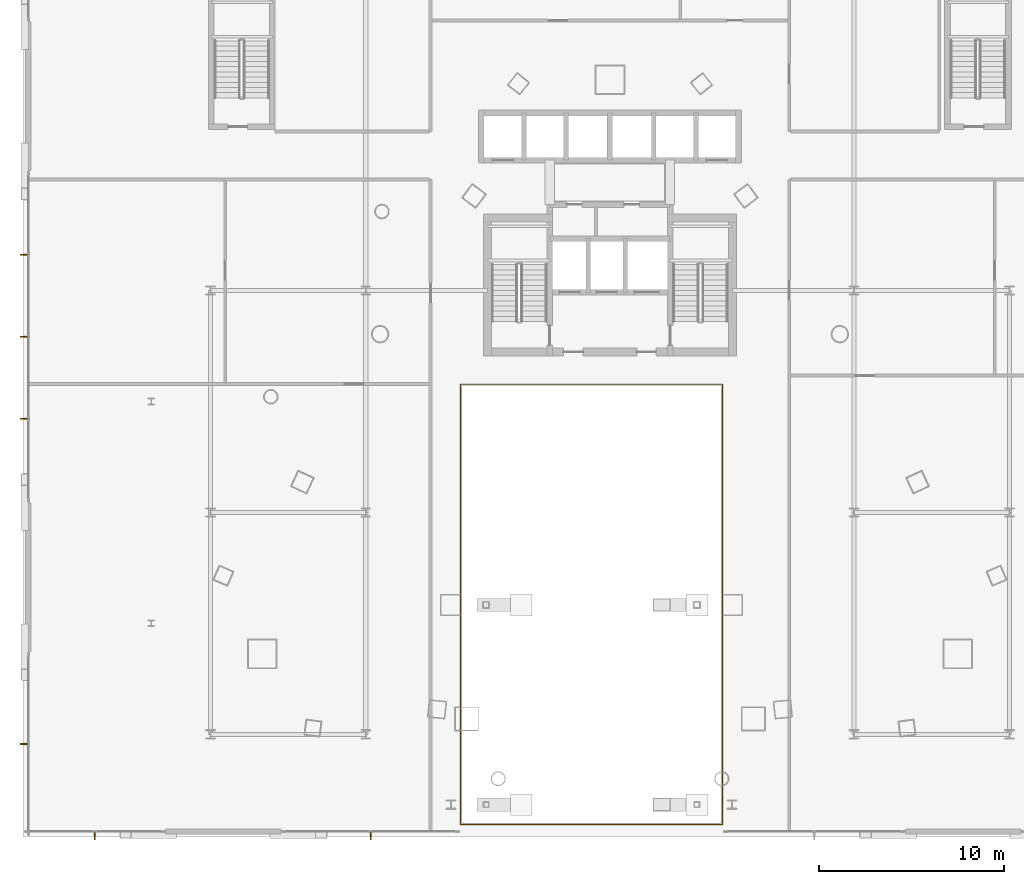
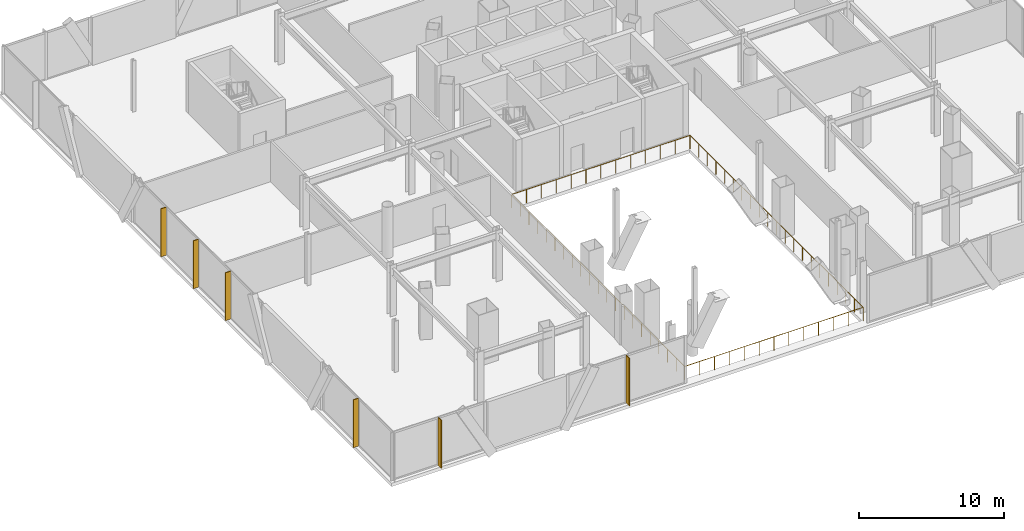
# One storey, part 36 of 42: 6 shading devices, 1 railing.
"""IFC4 building model written with IfcOpenShell, lengths in metres."""

from ifc_helpers import new_model, si_unit, direction, frame, origin, origin_2d, place, context, subcontext, project, spatial, rectangle, circle, extrude, material, layer, layer_set, type_object, element, save


model = new_model("IFC4")

# Units and contexts
model_context = context("Model", 3, precision=1e-05, world=origin(), true_north=direction((0.0, 1.0)))
body_context = subcontext(model_context, "Body", "Model", "MODEL_VIEW")
ifc_project = project(units=[si_unit("LENGTHUNIT", "METRE"), si_unit("AREAUNIT", "SQUARE_METRE"), si_unit("VOLUMEUNIT", "CUBIC_METRE"), si_unit("PLANEANGLEUNIT", "RADIAN"), si_unit("MASSUNIT", "GRAM", prefix="KILO")], contexts=[model_context])

# Site, building, storey
site_placement = place(None, origin())
site = spatial("IfcSite", under=ifc_project, at=site_placement, CompositionType="ELEMENT")
building_placement = place(site_placement, origin())
building = spatial("IfcBuilding", under=site, at=building_placement, Name="Orvanel Arch Residences", CompositionType="ELEMENT")
storey_placement = place(building_placement, frame((0.0, 0.0, 5.5)))
storey = spatial("IfcBuildingStorey", under=building, at=storey_placement, Name="L01", CompositionType="ELEMENT", Elevation=5.5)

# Shading devices
ifc_material = material(Name="Bronze-anodised aluminium AA6063-T6", Category="aluminium")
ifc_layer = layer(ifc_material, 0.06494140625)
ifc_layer_set = layer_set([ifc_layer], Name="Bronze-anodised aluminium AA6063-T6")
shading_device_type = type_object("IfcShadingDeviceType", Name="FIN-BRZ-420", PredefinedType="USERDEFINED", material=ifc_layer_set)
for number, where, z_axis, x_axis, name in (
    (1, (5.135009765625, 0.510009765625, 0.0), (0.0, 0.0, 1.0), (0.0, -1.0, 0.0), "L01 Anodised Bronze Mullion FIN 01"),
    (2, (20.06005859375, 0.510009765625, 0.0), (0.0, 0.0, 1.0), (0.0, -1.0, 0.0), "L01 Anodised Bronze Mullion FIN 01"),
    (3, (1.31005859375, 5.485107421875, 0.0), (0.0, 0.0, 1.0), (-1.0, 0.0, 0.0), "L01 Anodised Bronze Mullion FIN 01"),
    (4, (1.31005859375, 31.929931640625, 0.0), (0.0, 0.0, 1.0), (-1.0, 0.0, 0.0), "L01 Anodised Bronze Mullion FIN 01"),
    (5, (1.31005859375, 27.5, 0.0), (0.0, 0.0, 1.0), (-1.0, 0.0, 0.0), "L01 Anodised Bronze Mullion FIN 02"),
    (6, (1.31005859375, 23.070068359375, 0.0), (0.0, 0.0, 1.0), (-1.0, 0.0, 0.0), "L01 Anodised Bronze Mullion FIN 03"),
):
    element("IfcShadingDevice", number, at=place(storey_placement, frame(where, z_axis=z_axis, x_axis=x_axis)), inside=storey, type_object=shading_device_type, Name=name, ObjectType="FIN", PredefinedType="USERDEFINED", context=body_context, shape_type="SweptSolid", body=[
        extrude(rectangle(XDim=0.419921875, YDim=0.06494140625, at=origin_2d()), origin(), (0.0, 0.0, 1.0), 4.02001953125),
    ])

# Railing
railing_type = type_object("IfcRailingType", Name="RL-ATR-1150", PredefinedType="BALUSTRADE", material=ifc_material)
railing_placement = place(storey_placement, frame((24.919921875, 1.1201171875, 0.0)))
element("IfcRailing", 7, at=railing_placement, inside=storey, type_object=railing_type, Name="L01 Public Arch Void Balustrade", PredefinedType="BALUSTRADE", context=body_context, shape_type="SweptSolid", body=[
    extrude(circle(Radius=0.02392578125, at=origin_2d()), frame((0.00146484375, 0.0, 1.1259765625), z_axis=(1.0, 0.0, 0.0), x_axis=(0.0, 1.0, 0.0)), (0.0, 0.0, 1.0), 14.1572265625),
    extrude(circle(Radius=0.02392578125, at=origin_2d()), frame((14.16015625, 0.00146484375, 1.1259765625), z_axis=(0.0, 1.0, 0.0), x_axis=(-1.0, 0.0, 0.0)), (0.0, 0.0, 1.0), 23.806884765625),
    extrude(circle(Radius=0.02392578125, at=origin_2d()), frame((14.15869140625, 23.809814453125, 1.1259765625), z_axis=(-1.0, 0.0, 0.0), x_axis=(0.0, -1.0, 0.0)), (0.0, 0.0, 1.0), 14.1572265625),
    extrude(circle(Radius=0.02392578125, at=origin_2d()), frame((0.0, 23.808349609375, 1.1259765625), z_axis=(0.0, -1.0, 0.0), x_axis=(1.0, 0.0, 0.0)), (0.0, 0.0, 1.0), 23.806884765625),
    extrude(circle(Radius=0.02099609375, at=origin_2d()), origin(), (0.0, 0.0, 1.0), 1.099853515625),
    extrude(circle(Radius=0.02099609375, at=origin_2d()), frame((1.179931640625, 0.0, 0.0)), (0.0, 0.0, 1.0), 1.099853515625),
    extrude(circle(Radius=0.02099609375, at=origin_2d()), frame((2.360107421875, 0.0, 0.0)), (0.0, 0.0, 1.0), 1.099853515625),
    extrude(circle(Radius=0.02099609375, at=origin_2d()), frame((3.5400390625, 0.0, 0.0)), (0.0, 0.0, 1.0), 1.099853515625),
    extrude(circle(Radius=0.02099609375, at=origin_2d()), frame((4.719970703125, 0.0, 0.0)), (0.0, 0.0, 1.0), 1.099853515625),
    extrude(circle(Radius=0.02099609375, at=origin_2d()), frame((5.900146484375, 0.0, 0.0)), (0.0, 0.0, 1.0), 1.099853515625),
    extrude(circle(Radius=0.02099609375, at=origin_2d()), frame((7.080078125, 0.0, 0.0)), (0.0, 0.0, 1.0), 1.099853515625),
    extrude(circle(Radius=0.02099609375, at=origin_2d()), frame((8.260009765625, 0.0, 0.0)), (0.0, 0.0, 1.0), 1.099853515625),
    extrude(circle(Radius=0.02099609375, at=origin_2d()), frame((9.440185546875, 0.0, 0.0)), (0.0, 0.0, 1.0), 1.099853515625),
    extrude(circle(Radius=0.02099609375, at=origin_2d()), frame((10.6201171875, 0.0, 0.0)), (0.0, 0.0, 1.0), 1.099853515625),
    extrude(circle(Radius=0.02099609375, at=origin_2d()), frame((11.800048828125, 0.0, 0.0)), (0.0, 0.0, 1.0), 1.099853515625),
    extrude(circle(Radius=0.02099609375, at=origin_2d()), frame((12.980224609375, 0.0, 0.0)), (0.0, 0.0, 1.0), 1.099853515625),
    extrude(circle(Radius=0.02099609375, at=origin_2d()), frame((14.16015625, 0.0, 0.0)), (0.0, 0.0, 1.0), 1.099853515625),
    extrude(circle(Radius=0.02099609375, at=origin_2d()), frame((14.16015625, 1.1904296875, 0.0)), (0.0, 0.0, 1.0), 1.099853515625),
    extrude(circle(Radius=0.02099609375, at=origin_2d()), frame((14.16015625, 2.380859375, 0.0)), (0.0, 0.0, 1.0), 1.099853515625),
    extrude(circle(Radius=0.02099609375, at=origin_2d()), frame((14.16015625, 3.571533203125, 0.0)), (0.0, 0.0, 1.0), 1.099853515625),
    extrude(circle(Radius=0.02099609375, at=origin_2d()), frame((14.16015625, 4.761962890625, 0.0)), (0.0, 0.0, 1.0), 1.099853515625),
    extrude(circle(Radius=0.02099609375, at=origin_2d()), frame((14.16015625, 5.952392578125, 0.0)), (0.0, 0.0, 1.0), 1.099853515625),
    extrude(circle(Radius=0.02099609375, at=origin_2d()), frame((14.16015625, 7.14306640625, 0.0)), (0.0, 0.0, 1.0), 1.099853515625),
    extrude(circle(Radius=0.02099609375, at=origin_2d()), frame((14.16015625, 8.33349609375, 0.0)), (0.0, 0.0, 1.0), 1.099853515625),
    extrude(circle(Radius=0.02099609375, at=origin_2d()), frame((14.16015625, 9.52392578125, 0.0)), (0.0, 0.0, 1.0), 1.099853515625),
    extrude(circle(Radius=0.02099609375, at=origin_2d()), frame((14.16015625, 10.71435546875, 0.0)), (0.0, 0.0, 1.0), 1.099853515625),
    extrude(circle(Radius=0.02099609375, at=origin_2d()), frame((14.16015625, 11.90478515625, 0.0)), (0.0, 0.0, 1.0), 1.099853515625),
    extrude(circle(Radius=0.02099609375, at=origin_2d()), frame((14.16015625, 13.095458984375, 0.0)), (0.0, 0.0, 1.0), 1.099853515625),
    extrude(circle(Radius=0.02099609375, at=origin_2d()), frame((14.16015625, 14.285888671875, 0.0)), (0.0, 0.0, 1.0), 1.099853515625),
    extrude(circle(Radius=0.02099609375, at=origin_2d()), frame((14.16015625, 15.476318359375, 0.0)), (0.0, 0.0, 1.0), 1.099853515625),
    extrude(circle(Radius=0.02099609375, at=origin_2d()), frame((14.16015625, 16.6669921875, 0.0)), (0.0, 0.0, 1.0), 1.099853515625),
    extrude(circle(Radius=0.02099609375, at=origin_2d()), frame((14.16015625, 17.857421875, 0.0)), (0.0, 0.0, 1.0), 1.099853515625),
    extrude(circle(Radius=0.02099609375, at=origin_2d()), frame((14.16015625, 19.0478515625, 0.0)), (0.0, 0.0, 1.0), 1.099853515625),
    extrude(circle(Radius=0.02099609375, at=origin_2d()), frame((14.16015625, 20.23828125, 0.0)), (0.0, 0.0, 1.0), 1.099853515625),
    extrude(circle(Radius=0.02099609375, at=origin_2d()), frame((14.16015625, 21.4287109375, 0.0)), (0.0, 0.0, 1.0), 1.099853515625),
    extrude(circle(Radius=0.02099609375, at=origin_2d()), frame((14.16015625, 22.619384765625, 0.0)), (0.0, 0.0, 1.0), 1.099853515625),
    extrude(circle(Radius=0.02099609375, at=origin_2d()), frame((14.16015625, 23.809814453125, 0.0)), (0.0, 0.0, 1.0), 1.099853515625),
    extrude(circle(Radius=0.02099609375, at=origin_2d()), frame((12.980224609375, 23.809814453125, 0.0)), (0.0, 0.0, 1.0), 1.099853515625),
    extrude(circle(Radius=0.02099609375, at=origin_2d()), frame((11.800048828125, 23.809814453125, 0.0)), (0.0, 0.0, 1.0), 1.099853515625),
    extrude(circle(Radius=0.02099609375, at=origin_2d()), frame((10.6201171875, 23.809814453125, 0.0)), (0.0, 0.0, 1.0), 1.099853515625),
    extrude(circle(Radius=0.02099609375, at=origin_2d()), frame((9.440185546875, 23.809814453125, 0.0)), (0.0, 0.0, 1.0), 1.099853515625),
    extrude(circle(Radius=0.02099609375, at=origin_2d()), frame((8.260009765625, 23.809814453125, 0.0)), (0.0, 0.0, 1.0), 1.099853515625),
    extrude(circle(Radius=0.02099609375, at=origin_2d()), frame((7.080078125, 23.809814453125, 0.0)), (0.0, 0.0, 1.0), 1.099853515625),
    extrude(circle(Radius=0.02099609375, at=origin_2d()), frame((5.900146484375, 23.809814453125, 0.0)), (0.0, 0.0, 1.0), 1.099853515625),
    extrude(circle(Radius=0.02099609375, at=origin_2d()), frame((4.719970703125, 23.809814453125, 0.0)), (0.0, 0.0, 1.0), 1.099853515625),
    extrude(circle(Radius=0.02099609375, at=origin_2d()), frame((3.5400390625, 23.809814453125, 0.0)), (0.0, 0.0, 1.0), 1.099853515625),
    extrude(circle(Radius=0.02099609375, at=origin_2d()), frame((2.360107421875, 23.809814453125, 0.0)), (0.0, 0.0, 1.0), 1.099853515625),
    extrude(circle(Radius=0.02099609375, at=origin_2d()), frame((1.179931640625, 23.809814453125, 0.0)), (0.0, 0.0, 1.0), 1.099853515625),
    extrude(circle(Radius=0.02099609375, at=origin_2d()), frame((0.0, 23.809814453125, 0.0)), (0.0, 0.0, 1.0), 1.099853515625),
    extrude(circle(Radius=0.02099609375, at=origin_2d()), frame((0.0, 22.619384765625, 0.0)), (0.0, 0.0, 1.0), 1.099853515625),
    extrude(circle(Radius=0.02099609375, at=origin_2d()), frame((0.0, 21.4287109375, 0.0)), (0.0, 0.0, 1.0), 1.099853515625),
    extrude(circle(Radius=0.02099609375, at=origin_2d()), frame((0.0, 20.23828125, 0.0)), (0.0, 0.0, 1.0), 1.099853515625),
    extrude(circle(Radius=0.02099609375, at=origin_2d()), frame((0.0, 19.0478515625, 0.0)), (0.0, 0.0, 1.0), 1.099853515625),
    extrude(circle(Radius=0.02099609375, at=origin_2d()), frame((0.0, 17.857421875, 0.0)), (0.0, 0.0, 1.0), 1.099853515625),
    extrude(circle(Radius=0.02099609375, at=origin_2d()), frame((0.0, 16.6669921875, 0.0)), (0.0, 0.0, 1.0), 1.099853515625),
    extrude(circle(Radius=0.02099609375, at=origin_2d()), frame((0.0, 15.476318359375, 0.0)), (0.0, 0.0, 1.0), 1.099853515625),
    extrude(circle(Radius=0.02099609375, at=origin_2d()), frame((0.0, 14.285888671875, 0.0)), (0.0, 0.0, 1.0), 1.099853515625),
    extrude(circle(Radius=0.02099609375, at=origin_2d()), frame((0.0, 13.095458984375, 0.0)), (0.0, 0.0, 1.0), 1.099853515625),
    extrude(circle(Radius=0.02099609375, at=origin_2d()), frame((0.0, 11.90478515625, 0.0)), (0.0, 0.0, 1.0), 1.099853515625),
    extrude(circle(Radius=0.02099609375, at=origin_2d()), frame((0.0, 10.71435546875, 0.0)), (0.0, 0.0, 1.0), 1.099853515625),
    extrude(circle(Radius=0.02099609375, at=origin_2d()), frame((0.0, 9.52392578125, 0.0)), (0.0, 0.0, 1.0), 1.099853515625),
    extrude(circle(Radius=0.02099609375, at=origin_2d()), frame((0.0, 8.33349609375, 0.0)), (0.0, 0.0, 1.0), 1.099853515625),
    extrude(circle(Radius=0.02099609375, at=origin_2d()), frame((0.0, 7.14306640625, 0.0)), (0.0, 0.0, 1.0), 1.099853515625),
    extrude(circle(Radius=0.02099609375, at=origin_2d()), frame((0.0, 5.952392578125, 0.0)), (0.0, 0.0, 1.0), 1.099853515625),
    extrude(circle(Radius=0.02099609375, at=origin_2d()), frame((0.0, 4.761962890625, 0.0)), (0.0, 0.0, 1.0), 1.099853515625),
    extrude(circle(Radius=0.02099609375, at=origin_2d()), frame((0.0, 3.571533203125, 0.0)), (0.0, 0.0, 1.0), 1.099853515625),
    extrude(circle(Radius=0.02099609375, at=origin_2d()), frame((0.0, 2.380859375, 0.0)), (0.0, 0.0, 1.0), 1.099853515625),
    extrude(circle(Radius=0.02099609375, at=origin_2d()), frame((0.0, 1.1904296875, 0.0)), (0.0, 0.0, 1.0), 1.099853515625),
])

save(model, "model.ifc")
